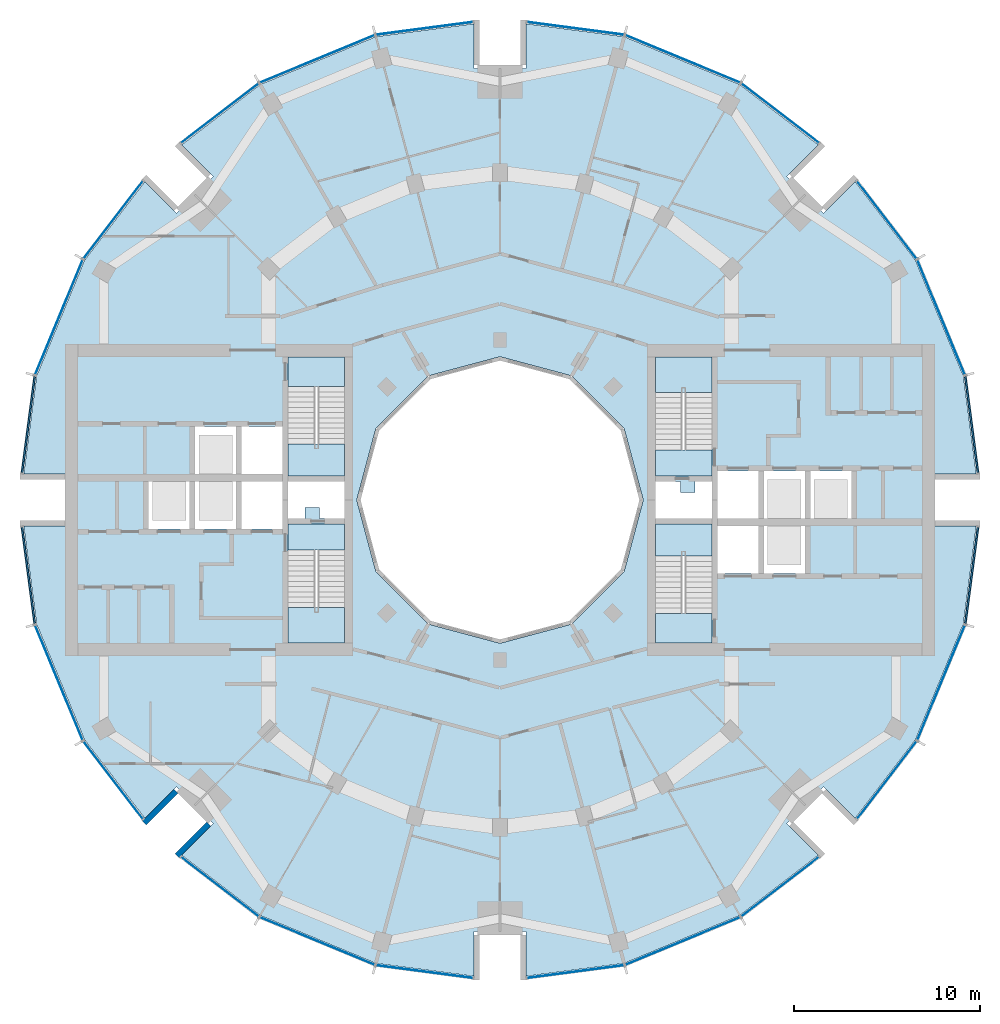
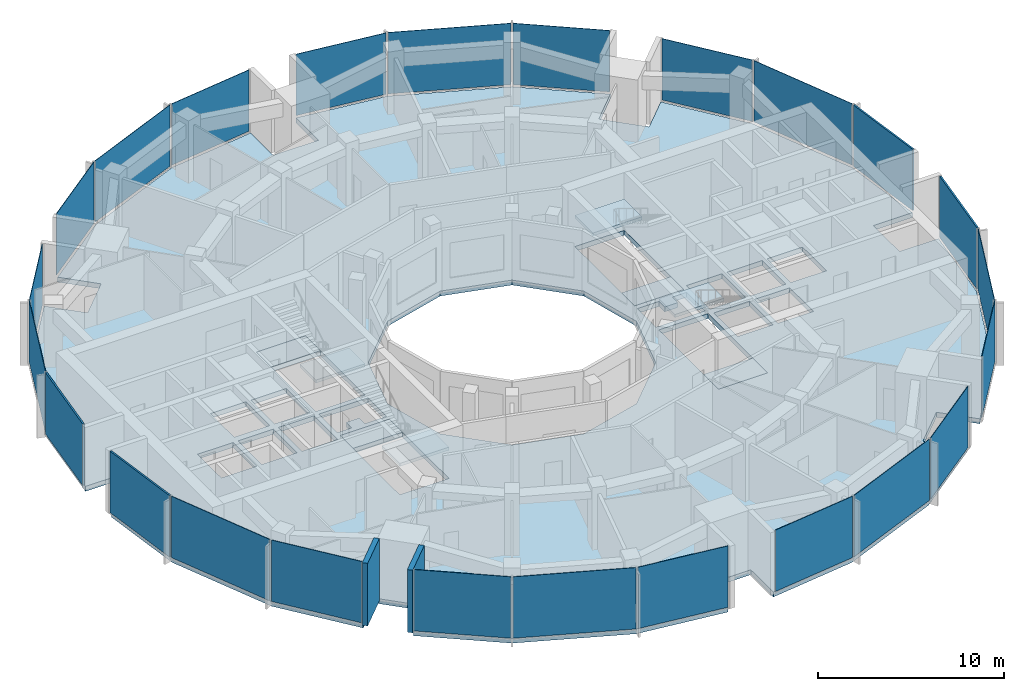
# One storey, part 7 of 15: 24 plates, 9 slabs, 2 walls, 28 elements without a shape of their own.
"""IFC4 building model written with IfcOpenShell, lengths in metres."""

from ifc_helpers import new_model, si_unit, direction, frame, frame_2d, origin, origin_2d, place, context, subcontext, project, spatial, polyline, rectangle, outline, extrude, material, layer, layer_set, type_object, element, aggregate, save


model = new_model("IFC4")

# Units and contexts
model_context = context("Model", 3, precision=1e-05, world=origin(), true_north=direction((0.0, 1.0)))
body_context = subcontext(model_context, "Body", "Model", "MODEL_VIEW")
ifc_project = project(units=[si_unit("LENGTHUNIT", "METRE"), si_unit("AREAUNIT", "SQUARE_METRE"), si_unit("VOLUMEUNIT", "CUBIC_METRE"), si_unit("PLANEANGLEUNIT", "RADIAN"), si_unit("MASSUNIT", "GRAM", prefix="KILO")], contexts=[model_context])

# Site, building, storey
site_placement = place(None, origin())
site = spatial("IfcSite", under=ifc_project, at=site_placement, CompositionType="ELEMENT")
building_placement = place(site_placement, origin())
building = spatial("IfcBuilding", under=site, at=building_placement, Name="Torre Brocal", CompositionType="ELEMENT")
storey_placement = place(building_placement, frame((0.0, 0.0, 174.10009765625)))
storey = spatial("IfcBuildingStorey", under=building, at=storey_placement, Name="L40", CompositionType="ELEMENT", Elevation=174.10009765625)

# Curtain wall, plate
ifc_material_1 = material(Name="Aluminium and glass", Category="aluminium")
ifc_layer_1 = layer(ifc_material_1, 0.199951171875)
ifc_layer_set_1 = layer_set([ifc_layer_1], Name="Aluminium and glass")
curtain_wall_type_1 = type_object("IfcCurtainWallType", Name="CW-1 CURTAIN WALL 4100 HIGH", PredefinedType="NOTDEFINED", material=ifc_layer_set_1)
curtain_wall_1_placement = place(storey_placement, origin())
curtain_wall_1 = element("IfcCurtainWall", 1, at=curtain_wall_1_placement, inside=storey, type_object=curtain_wall_type_1, Name="CW-1 RUN 2", PredefinedType="NOTDEFINED")
ifc_material_2 = material(Name="Glass, dark tinted laminated", Category="glass")
ifc_layer_2 = layer(ifc_material_2, 0.031982421875)
ifc_layer_set_2 = layer_set([ifc_layer_2], Name="Glass, dark tinted laminated")
plate_type_1 = type_object("IfcPlateType", Name="CW-1 GLASS PANEL 32", PredefinedType="CURTAIN_PANEL", material=ifc_layer_set_2)
plate_1_placement = place(storey_placement, frame((103.722900390625, 84.826416015625, 0.079833984375), z_axis=(0.0, 0.0, 1.0), x_axis=(-0.382683432333, 0.923879532525, 0.0)))
plate_1 = element("IfcPlate", 2, at=plate_1_placement, type_object=plate_type_1, Name="CW1-4 panel 1.1", PredefinedType="CURTAIN_PANEL", context=body_context, shape_type="SweptSolid", body=[
    extrude(rectangle(XDim=6.64111328125, YDim=0.031982421875, at=origin_2d()), origin(), (0.0, 0.0, 1.0), 4.02001953125),
])
aggregate(curtain_wall_1, [plate_1])

curtain_wall_2_placement = place(storey_placement, origin())
curtain_wall_2 = element("IfcCurtainWall", 3, at=curtain_wall_2_placement, inside=storey, type_object=curtain_wall_type_1, Name="CW-1 RUN 3", PredefinedType="NOTDEFINED")
plate_2_placement = place(storey_placement, frame((100.80126953125, 90.0712890625, 0.079833984375), z_axis=(0.0, 0.0, 1.0), x_axis=(-0.60876142905, 0.793353340259, 0.0)))
plate_2 = element("IfcPlate", 4, at=plate_2_placement, type_object=plate_type_1, Name="CW1-4 panel 1.1", PredefinedType="CURTAIN_PANEL", context=body_context, shape_type="SweptSolid", body=[
    extrude(rectangle(XDim=5.22900390625, YDim=0.031982421875, at=origin_2d()), origin(), (0.0, 0.0, 1.0), 4.02001953125),
])
aggregate(curtain_wall_2, [plate_2])

curtain_wall_3_placement = place(storey_placement, origin())
curtain_wall_3 = element("IfcCurtainWall", 5, at=curtain_wall_3_placement, inside=storey, type_object=curtain_wall_type_1, Name="CW-1 RUN 4", PredefinedType="NOTDEFINED")
plate_3_placement = place(storey_placement, frame((95.0712890625, 95.80126953125, 0.079833984375), z_axis=(0.0, 0.0, 1.0), x_axis=(-0.793353340259, 0.60876142905, 0.0)))
plate_3 = element("IfcPlate", 6, at=plate_3_placement, type_object=plate_type_1, Name="CW1-4 panel 1.1", PredefinedType="CURTAIN_PANEL", context=body_context, shape_type="SweptSolid", body=[
    extrude(rectangle(XDim=5.22900390625, YDim=0.031982421875, at=origin_2d()), origin(), (0.0, 0.0, 1.0), 4.02001953125),
])
aggregate(curtain_wall_3, [plate_3])

curtain_wall_4_placement = place(storey_placement, origin())
curtain_wall_4 = element("IfcCurtainWall", 7, at=curtain_wall_4_placement, inside=storey, type_object=curtain_wall_type_1, Name="CW-1 RUN 5", PredefinedType="NOTDEFINED")
plate_4_placement = place(storey_placement, frame((89.826416015625, 98.722900390625, 0.079833984375), z_axis=(0.0, 0.0, 1.0), x_axis=(-0.923879532525, 0.382683432333, 0.0)))
plate_4 = element("IfcPlate", 8, at=plate_4_placement, type_object=plate_type_1, Name="CW1-4 panel 1.1", PredefinedType="CURTAIN_PANEL", context=body_context, shape_type="SweptSolid", body=[
    extrude(rectangle(XDim=6.64111328125, YDim=0.031982421875, at=origin_2d()), origin(), (0.0, 0.0, 1.0), 4.02001953125),
])
aggregate(curtain_wall_4, [plate_4])

curtain_wall_5_placement = place(storey_placement, origin())
curtain_wall_5 = element("IfcCurtainWall", 9, at=curtain_wall_5_placement, inside=storey, type_object=curtain_wall_type_1, Name="CW-1 RUN 6", PredefinedType="NOTDEFINED")
plate_5_placement = place(storey_placement, frame((84.051513671875, 100.36572265625, 0.079833984375), z_axis=(0.0, 0.0, 1.0), x_axis=(-0.991444861374, 0.13052619222, 0.0)))
plate_5 = element("IfcPlate", 10, at=plate_5_placement, type_object=plate_type_1, Name="CW1-4 panel 1.1", PredefinedType="CURTAIN_PANEL", context=body_context, shape_type="SweptSolid", body=[
    extrude(rectangle(XDim=5.22900390625, YDim=0.031982421875, at=origin_2d()), origin(), (0.0, 0.0, 1.0), 4.02001953125),
])
aggregate(curtain_wall_5, [plate_5])

curtain_wall_6_placement = place(storey_placement, origin())
curtain_wall_6 = element("IfcCurtainWall", 11, at=curtain_wall_6_placement, inside=storey, type_object=curtain_wall_type_1, Name="CW-1 RUN 7", PredefinedType="NOTDEFINED")
plate_6_placement = place(storey_placement, frame((75.948486328125, 100.36572265625, 0.079833984375), z_axis=(0.0, 0.0, 1.0), x_axis=(-0.991444861374, -0.13052619222, 0.0)))
plate_6 = element("IfcPlate", 12, at=plate_6_placement, type_object=plate_type_1, Name="CW1-4 panel 1.1", PredefinedType="CURTAIN_PANEL", context=body_context, shape_type="SweptSolid", body=[
    extrude(rectangle(XDim=5.22900390625, YDim=0.031982421875, at=origin_2d()), origin(), (0.0, 0.0, 1.0), 4.02001953125),
])
aggregate(curtain_wall_6, [plate_6])

curtain_wall_7_placement = place(storey_placement, origin())
curtain_wall_7 = element("IfcCurtainWall", 13, at=curtain_wall_7_placement, inside=storey, type_object=curtain_wall_type_1, Name="CW-1 RUN 8", PredefinedType="NOTDEFINED")
plate_7_placement = place(storey_placement, frame((70.173583984375, 98.722900390625, 0.079833984375), z_axis=(0.0, 0.0, 1.0), x_axis=(-0.923879532525, -0.382683432333, 0.0)))
plate_7 = element("IfcPlate", 14, at=plate_7_placement, type_object=plate_type_1, Name="CW1-4 panel 1.1", PredefinedType="CURTAIN_PANEL", context=body_context, shape_type="SweptSolid", body=[
    extrude(rectangle(XDim=6.64111328125, YDim=0.031982421875, at=origin_2d()), origin(), (0.0, 0.0, 1.0), 4.02001953125),
])
aggregate(curtain_wall_7, [plate_7])

curtain_wall_8_placement = place(storey_placement, origin())
curtain_wall_8 = element("IfcCurtainWall", 15, at=curtain_wall_8_placement, inside=storey, type_object=curtain_wall_type_1, Name="CW-1 RUN 9", PredefinedType="NOTDEFINED")
plate_8_placement = place(storey_placement, frame((64.9287109375, 95.80126953125, 0.079833984375), z_axis=(0.0, 0.0, 1.0), x_axis=(-0.793353340259, -0.60876142905, 0.0)))
plate_8 = element("IfcPlate", 16, at=plate_8_placement, type_object=plate_type_1, Name="CW1-4 panel 1.1", PredefinedType="CURTAIN_PANEL", context=body_context, shape_type="SweptSolid", body=[
    extrude(rectangle(XDim=5.22900390625, YDim=0.031982421875, at=origin_2d()), origin(), (0.0, 0.0, 1.0), 4.02001953125),
])
aggregate(curtain_wall_8, [plate_8])

curtain_wall_9_placement = place(storey_placement, origin())
curtain_wall_9 = element("IfcCurtainWall", 17, at=curtain_wall_9_placement, inside=storey, type_object=curtain_wall_type_1, Name="CW-1 RUN 10", PredefinedType="NOTDEFINED")
plate_9_placement = place(storey_placement, frame((59.19873046875, 90.0712890625, 0.079833984375), z_axis=(0.0, 0.0, 1.0), x_axis=(-0.60876142905, -0.793353340259, 0.0)))
plate_9 = element("IfcPlate", 18, at=plate_9_placement, type_object=plate_type_1, Name="CW1-4 panel 1.1", PredefinedType="CURTAIN_PANEL", context=body_context, shape_type="SweptSolid", body=[
    extrude(rectangle(XDim=5.22900390625, YDim=0.031982421875, at=origin_2d()), origin(), (0.0, 0.0, 1.0), 4.02001953125),
])
aggregate(curtain_wall_9, [plate_9])

curtain_wall_10_placement = place(storey_placement, origin())
curtain_wall_10 = element("IfcCurtainWall", 19, at=curtain_wall_10_placement, inside=storey, type_object=curtain_wall_type_1, Name="CW-1 RUN 11", PredefinedType="NOTDEFINED")
plate_10_placement = place(storey_placement, frame((56.277099609375, 84.826416015625, 0.079833984375), z_axis=(0.0, 0.0, 1.0), x_axis=(-0.382683432333, -0.923879532525, 0.0)))
plate_10 = element("IfcPlate", 20, at=plate_10_placement, type_object=plate_type_1, Name="CW1-4 panel 1.1", PredefinedType="CURTAIN_PANEL", context=body_context, shape_type="SweptSolid", body=[
    extrude(rectangle(XDim=6.64111328125, YDim=0.031982421875, at=origin_2d()), origin(), (0.0, 0.0, 1.0), 4.02001953125),
])
aggregate(curtain_wall_10, [plate_10])

curtain_wall_11_placement = place(storey_placement, origin())
curtain_wall_11 = element("IfcCurtainWall", 21, at=curtain_wall_11_placement, inside=storey, type_object=curtain_wall_type_1, Name="CW-1 RUN 14", PredefinedType="NOTDEFINED")
plate_11_placement = place(storey_placement, frame((56.277099609375, 65.173583984375, 0.079833984375), z_axis=(0.0, 0.0, 1.0), x_axis=(0.382683432333, -0.923879532525, 0.0)))
plate_11 = element("IfcPlate", 22, at=plate_11_placement, type_object=plate_type_1, Name="CW1-4 panel 1.1", PredefinedType="CURTAIN_PANEL", context=body_context, shape_type="SweptSolid", body=[
    extrude(rectangle(XDim=6.64111328125, YDim=0.031982421875, at=origin_2d()), origin(), (0.0, 0.0, 1.0), 4.02001953125),
])
aggregate(curtain_wall_11, [plate_11])

curtain_wall_12_placement = place(storey_placement, origin())
curtain_wall_12 = element("IfcCurtainWall", 23, at=curtain_wall_12_placement, inside=storey, type_object=curtain_wall_type_1, Name="CW-1 RUN 15", PredefinedType="NOTDEFINED")
plate_12_placement = place(storey_placement, frame((59.19873046875, 59.9287109375, 0.079833984375), z_axis=(0.0, 0.0, 1.0), x_axis=(0.60876142905, -0.793353340259, 0.0)))
plate_12 = element("IfcPlate", 24, at=plate_12_placement, type_object=plate_type_1, Name="CW1-4 panel 1.1", PredefinedType="CURTAIN_PANEL", context=body_context, shape_type="SweptSolid", body=[
    extrude(rectangle(XDim=5.22900390625, YDim=0.031982421875, at=origin_2d()), origin(), (0.0, 0.0, 1.0), 4.02001953125),
])
aggregate(curtain_wall_12, [plate_12])

curtain_wall_13_placement = place(storey_placement, origin())
curtain_wall_13 = element("IfcCurtainWall", 25, at=curtain_wall_13_placement, inside=storey, type_object=curtain_wall_type_1, Name="CW-1 RUN 16", PredefinedType="NOTDEFINED")
plate_13_placement = place(storey_placement, frame((64.9287109375, 54.19873046875, 0.079833984375), z_axis=(0.0, 0.0, 1.0), x_axis=(0.793353340259, -0.60876142905, 0.0)))
plate_13 = element("IfcPlate", 26, at=plate_13_placement, type_object=plate_type_1, Name="CW1-4 panel 1.1", PredefinedType="CURTAIN_PANEL", context=body_context, shape_type="SweptSolid", body=[
    extrude(rectangle(XDim=5.22900390625, YDim=0.031982421875, at=origin_2d()), origin(), (0.0, 0.0, 1.0), 4.02001953125),
])
aggregate(curtain_wall_13, [plate_13])

curtain_wall_14_placement = place(storey_placement, origin())
curtain_wall_14 = element("IfcCurtainWall", 27, at=curtain_wall_14_placement, inside=storey, type_object=curtain_wall_type_1, Name="CW-1 RUN 17", PredefinedType="NOTDEFINED")
plate_14_placement = place(storey_placement, frame((70.173583984375, 51.277099609375, 0.079833984375), z_axis=(0.0, 0.0, 1.0), x_axis=(0.923879532525, -0.382683432333, 0.0)))
plate_14 = element("IfcPlate", 28, at=plate_14_placement, type_object=plate_type_1, Name="CW1-4 panel 1.1", PredefinedType="CURTAIN_PANEL", context=body_context, shape_type="SweptSolid", body=[
    extrude(rectangle(XDim=6.64111328125, YDim=0.031982421875, at=origin_2d()), origin(), (0.0, 0.0, 1.0), 4.02001953125),
])
aggregate(curtain_wall_14, [plate_14])

curtain_wall_15_placement = place(storey_placement, origin())
curtain_wall_15 = element("IfcCurtainWall", 29, at=curtain_wall_15_placement, inside=storey, type_object=curtain_wall_type_1, Name="CW-1 RUN 18", PredefinedType="NOTDEFINED")
plate_15_placement = place(storey_placement, frame((75.948486328125, 49.63427734375, 0.079833984375), z_axis=(0.0, 0.0, 1.0), x_axis=(0.991444861374, -0.13052619222, 0.0)))
plate_15 = element("IfcPlate", 30, at=plate_15_placement, type_object=plate_type_1, Name="CW1-4 panel 1.1", PredefinedType="CURTAIN_PANEL", context=body_context, shape_type="SweptSolid", body=[
    extrude(rectangle(XDim=5.22900390625, YDim=0.031982421875, at=origin_2d()), origin(), (0.0, 0.0, 1.0), 4.02001953125),
])
aggregate(curtain_wall_15, [plate_15])

curtain_wall_16_placement = place(storey_placement, origin())
curtain_wall_16 = element("IfcCurtainWall", 31, at=curtain_wall_16_placement, inside=storey, type_object=curtain_wall_type_1, Name="CW-1 RUN 19", PredefinedType="NOTDEFINED")
plate_16_placement = place(storey_placement, frame((84.051513671875, 49.63427734375, 0.079833984375), z_axis=(0.0, 0.0, 1.0), x_axis=(0.991444861374, 0.13052619222, 0.0)))
plate_16 = element("IfcPlate", 32, at=plate_16_placement, type_object=plate_type_1, Name="CW1-4 panel 1.1", PredefinedType="CURTAIN_PANEL", context=body_context, shape_type="SweptSolid", body=[
    extrude(rectangle(XDim=5.22900390625, YDim=0.031982421875, at=origin_2d()), origin(), (0.0, 0.0, 1.0), 4.02001953125),
])
aggregate(curtain_wall_16, [plate_16])

curtain_wall_17_placement = place(storey_placement, origin())
curtain_wall_17 = element("IfcCurtainWall", 33, at=curtain_wall_17_placement, inside=storey, type_object=curtain_wall_type_1, Name="CW-1 RUN 20", PredefinedType="NOTDEFINED")
plate_17_placement = place(storey_placement, frame((89.826416015625, 51.277099609375, 0.079833984375), z_axis=(0.0, 0.0, 1.0), x_axis=(0.923879532525, 0.382683432333, 0.0)))
plate_17 = element("IfcPlate", 34, at=plate_17_placement, type_object=plate_type_1, Name="CW1-4 panel 1.1", PredefinedType="CURTAIN_PANEL", context=body_context, shape_type="SweptSolid", body=[
    extrude(rectangle(XDim=6.64111328125, YDim=0.031982421875, at=origin_2d()), origin(), (0.0, 0.0, 1.0), 4.02001953125),
])
aggregate(curtain_wall_17, [plate_17])

curtain_wall_18_placement = place(storey_placement, origin())
curtain_wall_18 = element("IfcCurtainWall", 35, at=curtain_wall_18_placement, inside=storey, type_object=curtain_wall_type_1, Name="CW-1 RUN 21", PredefinedType="NOTDEFINED")
plate_18_placement = place(storey_placement, frame((95.0712890625, 54.19873046875, 0.079833984375), z_axis=(0.0, 0.0, 1.0), x_axis=(0.793353340259, 0.60876142905, 0.0)))
plate_18 = element("IfcPlate", 36, at=plate_18_placement, type_object=plate_type_1, Name="CW1-4 panel 1.1", PredefinedType="CURTAIN_PANEL", context=body_context, shape_type="SweptSolid", body=[
    extrude(rectangle(XDim=5.22900390625, YDim=0.031982421875, at=origin_2d()), origin(), (0.0, 0.0, 1.0), 4.02001953125),
])
aggregate(curtain_wall_18, [plate_18])

curtain_wall_19_placement = place(storey_placement, origin())
curtain_wall_19 = element("IfcCurtainWall", 37, at=curtain_wall_19_placement, inside=storey, type_object=curtain_wall_type_1, Name="CW-1 RUN 22", PredefinedType="NOTDEFINED")
plate_19_placement = place(storey_placement, frame((100.80126953125, 59.9287109375, 0.079833984375), z_axis=(0.0, 0.0, 1.0), x_axis=(0.60876142905, 0.793353340259, 0.0)))
plate_19 = element("IfcPlate", 38, at=plate_19_placement, type_object=plate_type_1, Name="CW1-4 panel 1.1", PredefinedType="CURTAIN_PANEL", context=body_context, shape_type="SweptSolid", body=[
    extrude(rectangle(XDim=5.22900390625, YDim=0.031982421875, at=origin_2d()), origin(), (0.0, 0.0, 1.0), 4.02001953125),
])
aggregate(curtain_wall_19, [plate_19])

curtain_wall_20_placement = place(storey_placement, origin())
curtain_wall_20 = element("IfcCurtainWall", 39, at=curtain_wall_20_placement, inside=storey, type_object=curtain_wall_type_1, Name="CW-1 RUN 23", PredefinedType="NOTDEFINED")
plate_20_placement = place(storey_placement, frame((103.722900390625, 65.173583984375, 0.079833984375), z_axis=(0.0, 0.0, 1.0), x_axis=(0.382683432333, 0.923879532525, 0.0)))
plate_20 = element("IfcPlate", 40, at=plate_20_placement, type_object=plate_type_1, Name="CW1-4 panel 1.1", PredefinedType="CURTAIN_PANEL", context=body_context, shape_type="SweptSolid", body=[
    extrude(rectangle(XDim=6.64111328125, YDim=0.031982421875, at=origin_2d()), origin(), (0.0, 0.0, 1.0), 4.02001953125),
])
aggregate(curtain_wall_20, [plate_20])

ifc_material_3 = material(Name="Aluminium and glass", Category="aluminium")
ifc_layer_3 = layer(ifc_material_3, 0.199951171875)
ifc_layer_set_3 = layer_set([ifc_layer_3], Name="Aluminium and glass")
curtain_wall_type_2 = type_object("IfcCurtainWallType", Name="CW-1B CURTAIN WALL 4100 HIGH", PredefinedType="NOTDEFINED", material=ifc_layer_set_3)
curtain_wall_21_placement = place(storey_placement, origin())
curtain_wall_21 = element("IfcCurtainWall", 41, at=curtain_wall_21_placement, inside=storey, type_object=curtain_wall_type_2, Name="CW-1B RUN 1", PredefinedType="NOTDEFINED")
ifc_material_4 = material(Name="Aluminium composite panel", Category="aluminium")
ifc_layer_4 = layer(ifc_material_4, 0.10009765625)
ifc_layer_set_4 = layer_set([ifc_layer_4], Name="Aluminium composite panel")
plate_type_2 = type_object("IfcPlateType", Name="CW-1B OPAQUE PANEL 100", PredefinedType="CURTAIN_PANEL", material=ifc_layer_set_4)
plate_21_placement = place(storey_placement, frame((105.36572265625, 79.051513671875, 0.079833984375), z_axis=(0.0, 0.0, 1.0), x_axis=(-0.13052619222, 0.991444861374, 0.0)))
plate_21 = element("IfcPlate", 42, at=plate_21_placement, type_object=plate_type_2, Name="CW1B-4 panel 1.1", PredefinedType="CURTAIN_PANEL", context=body_context, shape_type="SweptSolid", body=[
    extrude(rectangle(XDim=5.22900390625, YDim=0.10009765625, at=origin_2d()), origin(), (0.0, 0.0, 1.0), 4.02001953125),
])
aggregate(curtain_wall_21, [plate_21])

curtain_wall_22_placement = place(storey_placement, origin())
curtain_wall_22 = element("IfcCurtainWall", 43, at=curtain_wall_22_placement, inside=storey, type_object=curtain_wall_type_2, Name="CW-1B RUN 12", PredefinedType="NOTDEFINED")
plate_22_placement = place(storey_placement, frame((54.63427734375, 79.051513671875, 0.079833984375), z_axis=(0.0, 0.0, 1.0), x_axis=(-0.13052619222, -0.991444861374, 0.0)))
plate_22 = element("IfcPlate", 44, at=plate_22_placement, type_object=plate_type_2, Name="CW1B-4 panel 1.1", PredefinedType="CURTAIN_PANEL", context=body_context, shape_type="SweptSolid", body=[
    extrude(rectangle(XDim=5.22900390625, YDim=0.10009765625, at=origin_2d()), origin(), (0.0, 0.0, 1.0), 4.02001953125),
])
aggregate(curtain_wall_22, [plate_22])

curtain_wall_23_placement = place(storey_placement, origin())
curtain_wall_23 = element("IfcCurtainWall", 45, at=curtain_wall_23_placement, inside=storey, type_object=curtain_wall_type_2, Name="CW-1B RUN 13", PredefinedType="NOTDEFINED")
plate_23_placement = place(storey_placement, frame((54.63427734375, 70.948486328125, 0.079833984375), z_axis=(0.0, 0.0, 1.0), x_axis=(0.13052619222, -0.991444861374, 0.0)))
plate_23 = element("IfcPlate", 46, at=plate_23_placement, type_object=plate_type_2, Name="CW1B-4 panel 1.1", PredefinedType="CURTAIN_PANEL", context=body_context, shape_type="SweptSolid", body=[
    extrude(rectangle(XDim=5.22900390625, YDim=0.10009765625, at=origin_2d()), origin(), (0.0, 0.0, 1.0), 4.02001953125),
])
aggregate(curtain_wall_23, [plate_23])

curtain_wall_24_placement = place(storey_placement, origin())
curtain_wall_24 = element("IfcCurtainWall", 47, at=curtain_wall_24_placement, inside=storey, type_object=curtain_wall_type_2, Name="CW-1B RUN 24", PredefinedType="NOTDEFINED")
plate_24_placement = place(storey_placement, frame((105.36572265625, 70.948486328125, 0.079833984375), z_axis=(0.0, 0.0, 1.0), x_axis=(0.13052619222, 0.991444861374, 0.0)))
plate_24 = element("IfcPlate", 48, at=plate_24_placement, type_object=plate_type_2, Name="CW1B-4 panel 1.1", PredefinedType="CURTAIN_PANEL", context=body_context, shape_type="SweptSolid", body=[
    extrude(rectangle(XDim=5.22900390625, YDim=0.10009765625, at=origin_2d()), origin(), (0.0, 0.0, 1.0), 4.02001953125),
])
aggregate(curtain_wall_24, [plate_24])

# Stair, slab
ifc_material_5 = material(Name="Concrete C50", Category="concrete")
stair_type = type_object("IfcStairType", Name="EXIT STAIR", PredefinedType="HALF_TURN_STAIR", material=ifc_material_5)
stair_1_placement = place(storey_placement, origin())
stair_1 = element("IfcStair", 49, at=stair_1_placement, inside=storey, type_object=stair_type, Name="EXIT STAIR ST1", PredefinedType="HALF_TURN_STAIR")
ifc_material_6 = material(Name="Concrete C50", Category="concrete")
ifc_layer_5 = layer(ifc_material_6, 0.320068359375)
ifc_layer_set_5 = layer_set([ifc_layer_5], Name="Concrete C50")
slab_type_1 = type_object("IfcSlabType", Name="FLOOR LANDING 320", PredefinedType="LANDING", material=ifc_layer_set_5)
slab_1_placement = place(storey_placement, frame((0.0, 0.0, -0.320068359375)))
slab_1 = element("IfcSlab", 50, at=slab_1_placement, type_object=slab_type_1, Name="ST1 landing 1", PredefinedType="LANDING", context=body_context, shape_type="SweptSolid", body=[
    extrude(outline(polyline([(88.35009765625, 76.300048828125), (91.39990234375, 76.300048828125), (91.39990234375, 77.699951171875), (88.35009765625, 77.699951171875), (88.35009765625, 76.300048828125)])), origin(), (0.0, 0.0, 1.0), 0.320068359375),
])

stair_2_placement = place(storey_placement, origin())
stair_2 = element("IfcStair", 51, at=stair_2_placement, inside=storey, type_object=stair_type, Name="EXIT STAIR ST2", PredefinedType="HALF_TURN_STAIR")
slab_2_placement = place(storey_placement, frame((0.0, 0.0, -0.320068359375)))
slab_2 = element("IfcSlab", 52, at=slab_2_placement, type_object=slab_type_1, Name="ST2 landing 1", PredefinedType="LANDING", context=body_context, shape_type="SweptSolid", body=[
    extrude(outline(polyline([(88.35009765625, 67.300048828125), (91.39990234375, 67.300048828125), (91.39990234375, 68.89990234375), (88.35009765625, 68.89990234375), (88.35009765625, 67.300048828125)])), origin(), (0.0, 0.0, 1.0), 0.320068359375),
])

stair_3_placement = place(storey_placement, origin())
stair_3 = element("IfcStair", 53, at=stair_3_placement, inside=storey, type_object=stair_type, Name="EXIT STAIR ST3", PredefinedType="HALF_TURN_STAIR")
slab_3_placement = place(storey_placement, frame((0.0, 0.0, -0.320068359375)))
slab_3 = element("IfcSlab", 54, at=slab_3_placement, type_object=slab_type_1, Name="ST3 landing 1", PredefinedType="LANDING", context=body_context, shape_type="SweptSolid", body=[
    extrude(outline(polyline([(71.64990234375, 73.699951171875), (68.60009765625, 73.699951171875), (68.60009765625, 72.300048828125), (71.64990234375, 72.300048828125), (71.64990234375, 73.699951171875)])), origin(), (0.0, 0.0, 1.0), 0.320068359375),
])

stair_4_placement = place(storey_placement, origin())
stair_4 = element("IfcStair", 55, at=stair_4_placement, inside=storey, type_object=stair_type, Name="EXIT STAIR ST4", PredefinedType="HALF_TURN_STAIR")
slab_4_placement = place(storey_placement, frame((0.0, 0.0, -0.320068359375)))
slab_4 = element("IfcSlab", 56, at=slab_4_placement, type_object=slab_type_1, Name="ST4 landing 1", PredefinedType="LANDING", context=body_context, shape_type="SweptSolid", body=[
    extrude(outline(polyline([(71.64990234375, 82.699951171875), (68.60009765625, 82.699951171875), (68.60009765625, 81.10009765625), (71.64990234375, 81.10009765625), (71.64990234375, 82.699951171875)])), origin(), (0.0, 0.0, 1.0), 0.320068359375),
])

# Slab
ifc_material_7 = material(Name="Concrete C50", Category="concrete")
ifc_layer_6 = layer(ifc_material_7, 0.199951171875)
ifc_layer_set_6 = layer_set([ifc_layer_6], Name="Concrete C50")
slab_type_2 = type_object("IfcSlabType", Name="MID LANDING +2050", PredefinedType="LANDING", material=ifc_layer_set_6)
slab_5_placement = place(storey_placement, frame((0.0, 0.0, 1.849853515625)))
slab_5 = element("IfcSlab", 57, at=slab_5_placement, type_object=slab_type_2, Name="ST1 landing 2", PredefinedType="LANDING", context=body_context, shape_type="SweptSolid", body=[
    extrude(outline(polyline([(88.35009765625, 80.780029296875), (91.39990234375, 80.780029296875), (91.39990234375, 82.699951171875), (88.35009765625, 82.699951171875), (88.35009765625, 80.780029296875)])), origin(), (0.0, 0.0, 1.0), 0.199951171875),
])

aggregate(stair_1, [slab_1, slab_5])

slab_6_placement = place(storey_placement, frame((0.0, 0.0, 1.849853515625)))
slab_6 = element("IfcSlab", 58, at=slab_6_placement, type_object=slab_type_2, Name="ST2 landing 2", PredefinedType="LANDING", context=body_context, shape_type="SweptSolid", body=[
    extrude(outline(polyline([(88.35009765625, 71.97998046875), (91.39990234375, 71.97998046875), (91.39990234375, 73.699951171875), (88.35009765625, 73.699951171875), (88.35009765625, 71.97998046875)])), origin(), (0.0, 0.0, 1.0), 0.199951171875),
])

aggregate(stair_2, [slab_2, slab_6])

slab_7_placement = place(storey_placement, frame((0.0, 0.0, 1.849853515625)))
slab_7 = element("IfcSlab", 59, at=slab_7_placement, type_object=slab_type_2, Name="ST3 landing 2", PredefinedType="LANDING", context=body_context, shape_type="SweptSolid", body=[
    extrude(outline(polyline([(71.64990234375, 69.219970703125), (68.60009765625, 69.219970703125), (68.60009765625, 67.300048828125), (71.64990234375, 67.300048828125), (71.64990234375, 69.219970703125)])), origin(), (0.0, 0.0, 1.0), 0.199951171875),
])

aggregate(stair_3, [slab_3, slab_7])

slab_8_placement = place(storey_placement, frame((0.0, 0.0, 1.849853515625)))
slab_8 = element("IfcSlab", 60, at=slab_8_placement, type_object=slab_type_2, Name="ST4 landing 2", PredefinedType="LANDING", context=body_context, shape_type="SweptSolid", body=[
    extrude(outline(polyline([(71.64990234375, 78.02001953125), (68.60009765625, 78.02001953125), (68.60009765625, 76.300048828125), (71.64990234375, 76.300048828125), (71.64990234375, 78.02001953125)])), origin(), (0.0, 0.0, 1.0), 0.199951171875),
])

aggregate(stair_4, [slab_4, slab_8])

ifc_material_8 = material(Name="Concrete C45", Category="concrete")
ifc_layer_7 = layer(ifc_material_8, 0.320068359375)
ifc_layer_set_7 = layer_set([ifc_layer_7], Name="Concrete C45")
slab_type_3 = type_object("IfcSlabType", Name="PT FLOOR SLAB 320 C45", PredefinedType="FLOOR", material=ifc_layer_set_7)
slab_9_placement = place(storey_placement, frame((0.0, 0.0, -0.320068359375)))
element("IfcSlab", 61, at=slab_9_placement, inside=storey, type_object=slab_type_3, Name="Slab ST-05", PredefinedType="FLOOR", context=body_context, shape_type="SweptSolid", body=[
    extrude(outline(polyline([(103.199951171875, 76.39990234375), (103.199951171875, 73.60009765625), (105.614013671875, 73.60009765625), (104.919189453125, 68.322998046875), (102.342041015625, 62.100830078125), (99.101806640625, 57.878173828125), (97.394775390625, 59.5849609375), (95.4150390625, 57.605224609375), (97.121826171875, 55.898193359375), (92.899169921875, 52.657958984375), (86.677001953125, 50.080810546875), (81.39990234375, 49.385986328125), (81.39990234375, 51.800048828125), (78.60009765625, 51.800048828125), (78.60009765625, 49.385986328125), (73.322998046875, 50.080810546875), (67.100830078125, 52.657958984375), (62.878173828125, 55.898193359375), (64.5849609375, 57.605224609375), (62.605224609375, 59.5849609375), (60.898193359375, 57.878173828125), (57.657958984375, 62.100830078125), (55.080810546875, 68.322998046875), (54.385986328125, 73.60009765625), (56.800048828125, 73.60009765625), (56.800048828125, 76.39990234375), (54.385986328125, 76.39990234375), (55.080810546875, 81.677001953125), (57.657958984375, 87.899169921875), (60.898193359375, 92.121826171875), (62.605224609375, 90.4150390625), (64.5849609375, 92.394775390625), (62.878173828125, 94.101806640625), (67.100830078125, 97.342041015625), (73.322998046875, 99.919189453125), (78.60009765625, 100.614013671875), (78.60009765625, 98.199951171875), (81.39990234375, 98.199951171875), (81.39990234375, 100.614013671875), (86.677001953125, 99.919189453125), (92.899169921875, 97.342041015625), (97.121826171875, 94.101806640625), (95.4150390625, 92.394775390625), (97.394775390625, 90.4150390625), (99.101806640625, 92.121826171875), (102.342041015625, 87.899169921875), (104.919189453125, 81.677001953125), (105.614013671875, 76.39990234375), (103.199951171875, 76.39990234375)]), holes=[polyline([(98.89990234375, 76.550048828125), (96.699951171875, 76.550048828125), (96.699951171875, 74.0), (98.89990234375, 74.0), (98.89990234375, 76.550048828125)]), polyline([(96.39990234375, 76.550048828125), (94.199951171875, 76.550048828125), (94.199951171875, 74.0), (96.39990234375, 74.0), (96.39990234375, 76.550048828125)]), polyline([(96.39990234375, 73.60009765625), (94.199951171875, 73.60009765625), (94.199951171875, 71.050048828125), (96.39990234375, 71.050048828125), (96.39990234375, 73.60009765625)]), polyline([(93.89990234375, 76.550048828125), (91.699951171875, 76.550048828125), (91.699951171875, 74.0), (93.89990234375, 74.0), (93.89990234375, 76.550048828125)]), polyline([(93.89990234375, 73.60009765625), (91.699951171875, 73.60009765625), (91.699951171875, 71.050048828125), (93.89990234375, 71.050048828125), (93.89990234375, 73.60009765625)]), polyline([(89.699951171875, 76.0), (88.35009765625, 76.0), (88.35009765625, 74.0), (91.39990234375, 74.0), (91.39990234375, 76.0), (90.5, 76.0), (90.5, 75.39990234375), (89.699951171875, 75.39990234375), (89.699951171875, 76.0)]), polyline([(91.39990234375, 82.699951171875), (88.35009765625, 82.699951171875), (88.35009765625, 76.300048828125), (91.39990234375, 76.300048828125), (91.39990234375, 82.699951171875)]), polyline([(91.39990234375, 73.699951171875), (88.35009765625, 73.699951171875), (88.35009765625, 67.300048828125), (91.39990234375, 67.300048828125), (91.39990234375, 73.699951171875)]), polyline([(80.0, 82.70703125), (76.146484375, 81.674560546875), (73.325439453125, 78.853515625), (72.29296875, 75.0), (73.325439453125, 71.146484375), (76.146484375, 68.325439453125), (80.0, 67.29296875), (83.853515625, 68.325439453125), (86.674560546875, 71.146484375), (87.70703125, 75.0), (86.674560546875, 78.853515625), (83.853515625, 81.674560546875), (80.0, 82.70703125)]), polyline([(70.300048828125, 74.0), (71.64990234375, 74.0), (71.64990234375, 76.0), (68.60009765625, 76.0), (68.60009765625, 74.0), (69.5, 74.0), (69.5, 74.60009765625), (70.300048828125, 74.60009765625), (70.300048828125, 74.0)]), polyline([(68.60009765625, 76.300048828125), (71.64990234375, 76.300048828125), (71.64990234375, 82.699951171875), (68.60009765625, 82.699951171875), (68.60009765625, 76.300048828125)]), polyline([(68.60009765625, 67.300048828125), (71.64990234375, 67.300048828125), (71.64990234375, 73.699951171875), (68.60009765625, 73.699951171875), (68.60009765625, 67.300048828125)]), polyline([(66.10009765625, 76.39990234375), (68.300048828125, 76.39990234375), (68.300048828125, 78.949951171875), (66.10009765625, 78.949951171875), (66.10009765625, 76.39990234375)]), polyline([(66.10009765625, 73.449951171875), (68.300048828125, 73.449951171875), (68.300048828125, 76.0), (66.10009765625, 76.0), (66.10009765625, 73.449951171875)]), polyline([(63.60009765625, 76.39990234375), (65.800048828125, 76.39990234375), (65.800048828125, 78.949951171875), (63.60009765625, 78.949951171875), (63.60009765625, 76.39990234375)]), polyline([(63.60009765625, 73.449951171875), (65.800048828125, 73.449951171875), (65.800048828125, 76.0), (63.60009765625, 76.0), (63.60009765625, 73.449951171875)]), polyline([(61.10009765625, 73.449951171875), (63.300048828125, 73.449951171875), (63.300048828125, 76.0), (61.10009765625, 76.0), (61.10009765625, 73.449951171875)])]), origin(), (0.0, 0.0, 1.0), 0.320068359375),
])

# Walls
ifc_material_9 = material(Name="Concrete C70", Category="concrete")
ifc_layer_8 = layer(ifc_material_9, 0.300048828125)
ifc_layer_set_8 = layer_set([ifc_layer_8], Name="Concrete C70")
wall_type = type_object("IfcWallType", Name="NOTCH RETURN WALL 300 C70", PredefinedType="NOTDEFINED", material=ifc_layer_set_8)
for number, where, z_axis, x_axis, name in (
    (62, (62.56982421875, 59.337646484375, 0.0), (0.0, 0.0, 1.0), (-0.707106781187, -0.707106781187, 0.0), "NOTCH RETURN WALL"),
    (63, (64.337646484375, 57.56982421875, 0.0), (0.0, 0.0, 1.0), (-0.707106781187, -0.707106781187, 0.0), "NOTCH RETURN WALL"),
):
    element("IfcWall", number, at=place(storey_placement, frame(where, z_axis=z_axis, x_axis=x_axis)), inside=storey, type_object=wall_type, Name=name, PredefinedType="NOTDEFINED", context=body_context, shape_type="SweptSolid", body=[
        extrude(rectangle(XDim=2.415771484375, YDim=0.300048828125, at=frame_2d((1.2080078125, 0.0))), origin(), (0.0, 0.0, 1.0), 4.099853515625),
    ])

save(model, "model.ifc")
